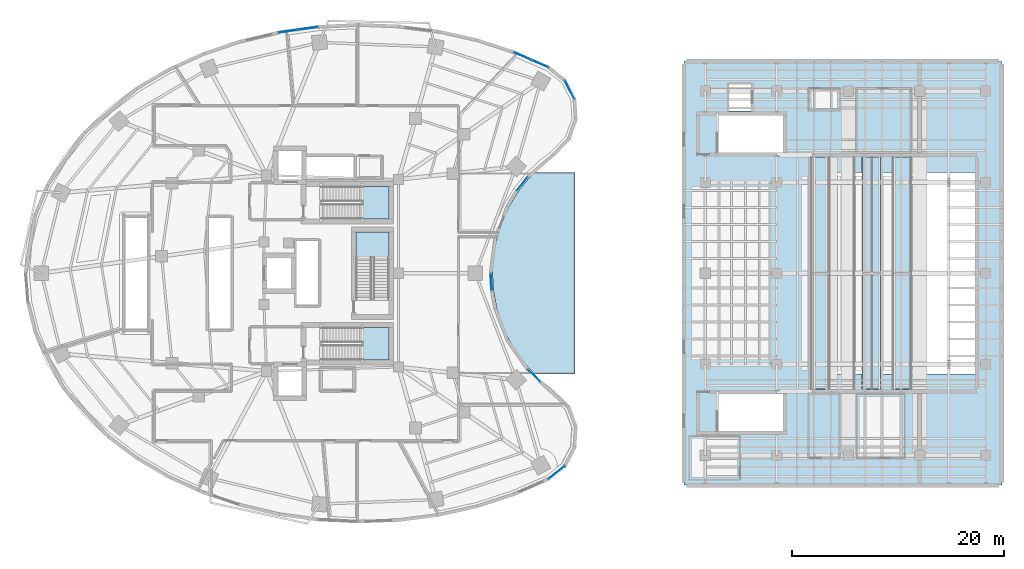
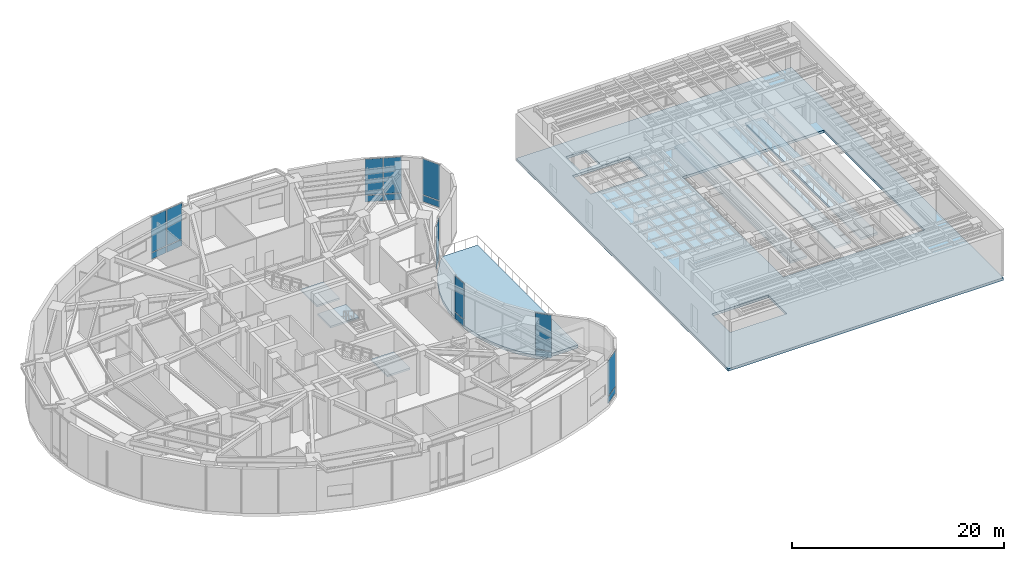
# One storey, part 10 of 19: 18 plates, 8 slabs, 10 elements without a shape of their own.
"""IFC4 building model written with IfcOpenShell, lengths in metres."""

from ifc_helpers import new_model, si_unit, direction, frame, origin, origin_2d, place, context, subcontext, project, spatial, polyline, rectangle, outline, extrude, material, layer, layer_set, type_object, element, aggregate, save


model = new_model("IFC4")

# Units and contexts
model_context = context("Model", 3, precision=1e-05, world=origin(), true_north=direction((0.0, 1.0)))
body_context = subcontext(model_context, "Body", "Model", "MODEL_VIEW")
ifc_project = project(units=[si_unit("LENGTHUNIT", "METRE"), si_unit("AREAUNIT", "SQUARE_METRE"), si_unit("VOLUMEUNIT", "CUBIC_METRE"), si_unit("PLANEANGLEUNIT", "RADIAN"), si_unit("MASSUNIT", "GRAM", prefix="KILO")], contexts=[model_context])

# Site, building, storey
site_placement = place(None, origin())
site = spatial("IfcSite", under=ifc_project, at=site_placement, CompositionType="ELEMENT")
building_placement = place(site_placement, origin())
building = spatial("IfcBuilding", under=site, at=building_placement, Name="Korentha Bioscience Tower", CompositionType="ELEMENT")
storey_placement = place(building_placement, frame((0.0, 0.0, 20.39990234375)))
storey = spatial("IfcBuildingStorey", under=building, at=storey_placement, Name="L04", CompositionType="ELEMENT", Elevation=20.39990234375)

# Slabs
ifc_material_1 = material(Name="Concrete C50", Category="concrete")
ifc_layer_1 = layer(ifc_material_1, 0.260009765625, Name="Concrete C50")
ifc_layer_set_1 = layer_set([ifc_layer_1], Name="Concrete C50 (ST-TIER)")
slab_type_1 = type_object("IfcSlabType", Name="Auditorium Raked Seating Tier Slab 260", PredefinedType="USERDEFINED", material=ifc_layer_set_1)
slab_1_placement = place(storey_placement, frame((0.0, 0.0, 2.440185546875)))
element("IfcSlab", 1, at=slab_1_placement, inside=storey, type_object=slab_type_1, Name="L04 Auditorium Acoustic Catwalk 1", ObjectType="SEATING_TIER", PredefinedType="USERDEFINED", context=body_context, shape_type="SweptSolid", body=[
    extrude(outline(polyline([(76.5, 16.050048828125), (78.300048828125, 16.050048828125), (78.300048828125, 37.949951171875), (76.5, 37.949951171875), (76.5, 16.050048828125)])), origin(), (0.0, 0.0, 1.0), 0.260009765625),
])
slab_2_placement = place(storey_placement, frame((0.0, 0.0, 2.440185546875)))
element("IfcSlab", 2, at=slab_2_placement, inside=storey, type_object=slab_type_1, Name="L04 Auditorium Acoustic Catwalk 2", ObjectType="SEATING_TIER", PredefinedType="USERDEFINED", context=body_context, shape_type="SweptSolid", body=[
    extrude(outline(polyline([(81.300048828125, 16.050048828125), (83.10009765625, 16.050048828125), (83.10009765625, 37.949951171875), (81.300048828125, 37.949951171875), (81.300048828125, 16.050048828125)])), origin(), (0.0, 0.0, 1.0), 0.260009765625),
])
slab_3_placement = place(storey_placement, frame((0.0, 0.0, 2.440185546875)))
element("IfcSlab", 3, at=slab_3_placement, inside=storey, type_object=slab_type_1, Name="L04 Auditorium Acoustic Catwalk 3", ObjectType="SEATING_TIER", PredefinedType="USERDEFINED", context=body_context, shape_type="SweptSolid", body=[
    extrude(outline(polyline([(84.199951171875, 16.050048828125), (86.0, 16.050048828125), (86.0, 37.949951171875), (84.199951171875, 37.949951171875), (84.199951171875, 16.050048828125)])), origin(), (0.0, 0.0, 1.0), 0.260009765625),
])
ifc_layer_2 = layer(ifc_material_1, 0.300048828125, Name="Concrete C50")
ifc_layer_set_2 = layer_set([ifc_layer_2], Name="Concrete C50 (SL-TH300)")
slab_type_2 = type_object("IfcSlabType", Name="Civic Theatre Floor Slab 300", PredefinedType="FLOOR", material=ifc_layer_set_2)
slab_4_placement = place(storey_placement, frame((0.0, 0.0, -0.2998046875)))
element("IfcSlab", 4, at=slab_4_placement, inside=storey, type_object=slab_type_2, Name="L04 Civic Performing-Arts Theatre Floor Slab", PredefinedType="FLOOR", context=body_context, shape_type="SweptSolid", body=[
    extrude(outline(polyline([(64.5, 7.0), (94.5, 7.0), (94.5, 47.0), (64.5, 47.0), (64.5, 7.0)]), holes=[polyline([(67.64990234375, 12.10009765625), (73.85009765625, 12.10009765625), (73.85009765625, 15.60009765625), (67.64990234375, 15.60009765625), (67.64990234375, 12.10009765625)]), polyline([(67.64990234375, 38.39990234375), (73.85009765625, 38.39990234375), (73.85009765625, 41.89990234375), (67.64990234375, 41.89990234375), (67.64990234375, 38.39990234375)]), polyline([(68.7099609375, 42.31005859375), (70.889892578125, 42.31005859375), (70.889892578125, 44.889892578125), (68.7099609375, 44.889892578125), (68.7099609375, 42.31005859375)]), polyline([(76.550048828125, 17.5), (92.0, 17.5), (92.0, 36.5), (76.550048828125, 36.5), (76.550048828125, 17.5)])]), origin(), (0.0, 0.0, 1.0), 0.2998046875),
])

# Curtain wall, plates
ifc_material_2 = material(Name="Stone-Clad Aluminium Frame", Category="masonry")
ifc_layer_3 = layer(ifc_material_2, 0.219970703125, Name="Stone-Clad Aluminium Frame")
ifc_layer_set_3 = layer_set([ifc_layer_3], Name="Stone-Clad Aluminium Frame (CW-P1)")
curtain_wall_type = type_object("IfcCurtainWallType", Name="Podium Double-Height Stone-Mullion Curtain Wall CW-P1", PredefinedType="USERDEFINED", material=ifc_layer_set_3)
curtain_wall_1_placement = place(storey_placement, origin())
curtain_wall_1 = element("IfcCurtainWall", 5, at=curtain_wall_1_placement, inside=storey, type_object=curtain_wall_type, Name="L04 Curtain Wall 01", ObjectType="UNITISED", PredefinedType="USERDEFINED")
ifc_material_3 = material(Name="Triple-Glazed Low-E Insulated Glass", Category="glass")
ifc_layer_4 = layer(ifc_material_3, 0.0439453125, Name="Triple-Glazed Low-E Insulated Glass")
ifc_layer_set_4 = layer_set([ifc_layer_4], Name="Triple-Glazed Low-E Insulated Glass (GL-44)")
plate_type = type_object("IfcPlateType", Name="Glazed Panel 44mm", PredefinedType="CURTAIN_PANEL", material=ifc_layer_set_4)
plate_1_placement = place(storey_placement, frame((50.893310546875, 46.780029296875, 0.08984375), z_axis=(0.0, 0.0, 1.0), x_axis=(-0.91593909057, 0.401317308828, 0.0)))
plate_1 = element("IfcPlate", 6, at=plate_1_placement, type_object=plate_type, Name="CW-L04-01 Bay 1 Glazed Panel 1", PredefinedType="CURTAIN_PANEL", context=body_context, shape_type="SweptSolid", body=[
    extrude(rectangle(XDim=1.701171875, YDim=0.0439453125, at=origin_2d()), origin(), (0.0, 0.0, 1.0), 0.715087890625),
])
plate_2_placement = place(storey_placement, frame((50.893310546875, 46.780029296875, 0.89501953125), z_axis=(0.0, 0.0, 1.0), x_axis=(-0.91593909057, 0.401317308828, 0.0)))
plate_2 = element("IfcPlate", 7, at=plate_2_placement, type_object=plate_type, Name="CW-L04-01 Bay 1 Glazed Panel 2", PredefinedType="CURTAIN_PANEL", context=body_context, shape_type="SweptSolid", body=[
    extrude(rectangle(XDim=1.701171875, YDim=0.0439453125, at=origin_2d()), origin(), (0.0, 0.0, 1.0), 4.114990234375),
])
plate_3_placement = place(storey_placement, frame((49.25244140625, 47.498779296875, 0.08984375), z_axis=(0.0, 0.0, 1.0), x_axis=(-0.91593909057, 0.401317308828, 0.0)))
plate_3 = element("IfcPlate", 8, at=plate_3_placement, type_object=plate_type, Name="CW-L04-01 Bay 2 Glazed Panel 1", PredefinedType="CURTAIN_PANEL", context=body_context, shape_type="SweptSolid", body=[
    extrude(rectangle(XDim=1.701171875, YDim=0.0439453125, at=origin_2d()), origin(), (0.0, 0.0, 1.0), 0.715087890625),
])
plate_4_placement = place(storey_placement, frame((49.25244140625, 47.498779296875, 0.89501953125), z_axis=(0.0, 0.0, 1.0), x_axis=(-0.91593909057, 0.401317308828, 0.0)))
plate_4 = element("IfcPlate", 9, at=plate_4_placement, type_object=plate_type, Name="CW-L04-01 Bay 2 Glazed Panel 2", PredefinedType="CURTAIN_PANEL", context=body_context, shape_type="SweptSolid", body=[
    extrude(rectangle(XDim=1.701171875, YDim=0.0439453125, at=origin_2d()), origin(), (0.0, 0.0, 1.0), 4.114990234375),
])
aggregate(curtain_wall_1, [plate_1, plate_2, plate_3, plate_4])

curtain_wall_2_placement = place(storey_placement, origin())
curtain_wall_2 = element("IfcCurtainWall", 10, at=curtain_wall_2_placement, inside=storey, type_object=curtain_wall_type, Name="L04 Curtain Wall 07", ObjectType="UNITISED", PredefinedType="USERDEFINED")
plate_5_placement = place(storey_placement, frame((29.0224609375, 50.11572265625, 0.08984375), z_axis=(0.0, 0.0, 1.0), x_axis=(-0.990167372968, -0.139887717511, 0.0)))
plate_5 = element("IfcPlate", 11, at=plate_5_placement, type_object=plate_type, Name="CW-L04-07 Bay 1 Glazed Panel 1", PredefinedType="CURTAIN_PANEL", context=body_context, shape_type="SweptSolid", body=[
    extrude(rectangle(XDim=1.800537109375, YDim=0.0439453125, at=origin_2d()), origin(), (0.0, 0.0, 1.0), 0.715087890625),
])
plate_6_placement = place(storey_placement, frame((29.0224609375, 50.11572265625, 0.89501953125), z_axis=(0.0, 0.0, 1.0), x_axis=(-0.990167372968, -0.139887717511, 0.0)))
plate_6 = element("IfcPlate", 12, at=plate_6_placement, type_object=plate_type, Name="CW-L04-07 Bay 1 Glazed Panel 2", PredefinedType="CURTAIN_PANEL", context=body_context, shape_type="SweptSolid", body=[
    extrude(rectangle(XDim=1.800537109375, YDim=0.0439453125, at=origin_2d()), origin(), (0.0, 0.0, 1.0), 4.114990234375),
])
plate_7_placement = place(storey_placement, frame((27.150634765625, 49.851318359375, 0.08984375), z_axis=(0.0, 0.0, 1.0), x_axis=(-0.990167372968, -0.139887717511, 0.0)))
plate_7 = element("IfcPlate", 13, at=plate_7_placement, type_object=plate_type, Name="CW-L04-07 Bay 2 Glazed Panel 1", PredefinedType="CURTAIN_PANEL", context=body_context, shape_type="SweptSolid", body=[
    extrude(rectangle(XDim=1.800537109375, YDim=0.0439453125, at=origin_2d()), origin(), (0.0, 0.0, 1.0), 0.715087890625),
])
plate_8_placement = place(storey_placement, frame((27.150634765625, 49.851318359375, 0.89501953125), z_axis=(0.0, 0.0, 1.0), x_axis=(-0.990167372968, -0.139887717511, 0.0)))
plate_8 = element("IfcPlate", 14, at=plate_8_placement, type_object=plate_type, Name="CW-L04-07 Bay 2 Glazed Panel 2", PredefinedType="CURTAIN_PANEL", context=body_context, shape_type="SweptSolid", body=[
    extrude(rectangle(XDim=1.800537109375, YDim=0.0439453125, at=origin_2d()), origin(), (0.0, 0.0, 1.0), 4.114990234375),
])
aggregate(curtain_wall_2, [plate_5, plate_6, plate_7, plate_8])

curtain_wall_3_placement = place(storey_placement, origin())
curtain_wall_3 = element("IfcCurtainWall", 15, at=curtain_wall_3_placement, inside=storey, type_object=curtain_wall_type, Name="L04 Curtain Wall 37", ObjectType="UNITISED", PredefinedType="USERDEFINED")
plate_9_placement = place(storey_placement, frame((52.4755859375, 8.19140625, 0.08984375), z_axis=(0.0, 0.0, 1.0), x_axis=(0.782287851332, 0.62291710336, 0.0)))
plate_9 = element("IfcPlate", 16, at=plate_9_placement, type_object=plate_type, Name="CW-L04-37 Bay 1 Glazed Panel 1", PredefinedType="CURTAIN_PANEL", context=body_context, shape_type="SweptSolid", body=[
    extrude(rectangle(XDim=1.927734375, YDim=0.0439453125, at=origin_2d()), origin(), (0.0, 0.0, 1.0), 0.715087890625),
])
plate_10_placement = place(storey_placement, frame((52.4755859375, 8.19140625, 0.89501953125), z_axis=(0.0, 0.0, 1.0), x_axis=(0.782287851332, 0.62291710336, 0.0)))
plate_10 = element("IfcPlate", 17, at=plate_10_placement, type_object=plate_type, Name="CW-L04-37 Bay 1 Glazed Panel 2", PredefinedType="CURTAIN_PANEL", context=body_context, shape_type="SweptSolid", body=[
    extrude(rectangle(XDim=1.927734375, YDim=0.0439453125, at=origin_2d()), origin(), (0.0, 0.0, 1.0), 4.114990234375),
])
aggregate(curtain_wall_3, [plate_9, plate_10])

curtain_wall_4_placement = place(storey_placement, origin())
curtain_wall_4 = element("IfcCurtainWall", 18, at=curtain_wall_4_placement, inside=storey, type_object=curtain_wall_type, Name="L04 Curtain Wall 43", ObjectType="UNITISED", PredefinedType="USERDEFINED")
plate_11_placement = place(storey_placement, frame((50.333251953125, 17.335693359375, 0.08984375), z_axis=(0.0, 0.0, 1.0), x_axis=(-0.713279246754, 0.700879958445, 0.0)))
plate_11 = element("IfcPlate", 19, at=plate_11_placement, type_object=plate_type, Name="CW-L04-43 Bay 1 Glazed Panel 1", PredefinedType="CURTAIN_PANEL", context=body_context, shape_type="SweptSolid", body=[
    extrude(rectangle(XDim=1.537841796875, YDim=0.0439453125, at=origin_2d()), origin(), (0.0, 0.0, 1.0), 0.715087890625),
])
plate_12_placement = place(storey_placement, frame((50.333251953125, 17.335693359375, 0.89501953125), z_axis=(0.0, 0.0, 1.0), x_axis=(-0.713279246754, 0.700879958445, 0.0)))
plate_12 = element("IfcPlate", 20, at=plate_12_placement, type_object=plate_type, Name="CW-L04-43 Bay 1 Glazed Panel 2", PredefinedType="CURTAIN_PANEL", context=body_context, shape_type="SweptSolid", body=[
    extrude(rectangle(XDim=1.537841796875, YDim=0.0439453125, at=origin_2d()), origin(), (0.0, 0.0, 1.0), 4.114990234375),
])
aggregate(curtain_wall_4, [plate_11, plate_12])

curtain_wall_5_placement = place(storey_placement, origin())
curtain_wall_5 = element("IfcCurtainWall", 21, at=curtain_wall_5_placement, inside=storey, type_object=curtain_wall_type, Name="L04 Curtain Wall 49", ObjectType="UNITISED", PredefinedType="USERDEFINED")
plate_13_placement = place(storey_placement, frame((46.305908203125, 26.1728515625, 0.08984375), z_axis=(0.0, 0.0, 1.0), x_axis=(-0.061008272998, 0.998137260413, 0.0)))
plate_13 = element("IfcPlate", 22, at=plate_13_placement, type_object=plate_type, Name="CW-L04-49 Bay 1 Glazed Panel 1", PredefinedType="CURTAIN_PANEL", context=body_context, shape_type="SweptSolid", body=[
    extrude(rectangle(XDim=1.537841796875, YDim=0.0439453125, at=origin_2d()), origin(), (0.0, 0.0, 1.0), 0.715087890625),
])
plate_14_placement = place(storey_placement, frame((46.305908203125, 26.1728515625, 0.89501953125), z_axis=(0.0, 0.0, 1.0), x_axis=(-0.061008272998, 0.998137260413, 0.0)))
plate_14 = element("IfcPlate", 23, at=plate_14_placement, type_object=plate_type, Name="CW-L04-49 Bay 1 Glazed Panel 2", PredefinedType="CURTAIN_PANEL", context=body_context, shape_type="SweptSolid", body=[
    extrude(rectangle(XDim=1.537841796875, YDim=0.0439453125, at=origin_2d()), origin(), (0.0, 0.0, 1.0), 4.114990234375),
])
aggregate(curtain_wall_5, [plate_13, plate_14])

curtain_wall_6_placement = place(storey_placement, origin())
curtain_wall_6 = element("IfcCurtainWall", 24, at=curtain_wall_6_placement, inside=storey, type_object=curtain_wall_type, Name="L04 Curtain Wall 55", ObjectType="UNITISED", PredefinedType="USERDEFINED")
plate_15_placement = place(storey_placement, frame((49.226318359375, 35.434814453125, 0.08984375), z_axis=(0.0, 0.0, 1.0), x_axis=(0.622520324648, 0.782603632371, 0.0)))
plate_15 = element("IfcPlate", 25, at=plate_15_placement, type_object=plate_type, Name="CW-L04-55 Bay 1 Glazed Panel 1", PredefinedType="CURTAIN_PANEL", context=body_context, shape_type="SweptSolid", body=[
    extrude(rectangle(XDim=1.537841796875, YDim=0.0439453125, at=origin_2d()), origin(), (0.0, 0.0, 1.0), 0.715087890625),
])
plate_16_placement = place(storey_placement, frame((49.226318359375, 35.434814453125, 0.89501953125), z_axis=(0.0, 0.0, 1.0), x_axis=(0.622520324648, 0.782603632371, 0.0)))
plate_16 = element("IfcPlate", 26, at=plate_16_placement, type_object=plate_type, Name="CW-L04-55 Bay 1 Glazed Panel 2", PredefinedType="CURTAIN_PANEL", context=body_context, shape_type="SweptSolid", body=[
    extrude(rectangle(XDim=1.537841796875, YDim=0.0439453125, at=origin_2d()), origin(), (0.0, 0.0, 1.0), 4.114990234375),
])
aggregate(curtain_wall_6, [plate_15, plate_16])

curtain_wall_7_placement = place(storey_placement, origin())
curtain_wall_7 = element("IfcCurtainWall", 27, at=curtain_wall_7_placement, inside=storey, type_object=curtain_wall_type, Name="L04 Curtain Wall 61", ObjectType="UNITISED", PredefinedType="USERDEFINED")
plate_17_placement = place(storey_placement, frame((53.6962890625, 44.32958984375, 0.08984375), z_axis=(0.0, 0.0, 1.0), x_axis=(-0.463008597697, 0.886353788539, 0.0)))
plate_17 = element("IfcPlate", 28, at=plate_17_placement, type_object=plate_type, Name="CW-L04-61 Bay 1 Glazed Panel 1", PredefinedType="CURTAIN_PANEL", context=body_context, shape_type="SweptSolid", body=[
    extrude(rectangle(XDim=1.927734375, YDim=0.0439453125, at=origin_2d()), origin(), (0.0, 0.0, 1.0), 0.715087890625),
])
plate_18_placement = place(storey_placement, frame((53.6962890625, 44.32958984375, 0.89501953125), z_axis=(0.0, 0.0, 1.0), x_axis=(-0.463008597697, 0.886353788539, 0.0)))
plate_18 = element("IfcPlate", 29, at=plate_18_placement, type_object=plate_type, Name="CW-L04-61 Bay 1 Glazed Panel 2", PredefinedType="CURTAIN_PANEL", context=body_context, shape_type="SweptSolid", body=[
    extrude(rectangle(XDim=1.927734375, YDim=0.0439453125, at=origin_2d()), origin(), (0.0, 0.0, 1.0), 4.114990234375),
])
aggregate(curtain_wall_7, [plate_17, plate_18])

# Stair, slab
ifc_material_4 = material(Name="Precast Concrete C50", Category="concrete")
stair_type = type_object("IfcStairType", Name="Core Exit Dog-Leg Stair 1450", PredefinedType="HALF_TURN_STAIR", material=ifc_material_4)
stair_1_placement = place(storey_placement, origin())
stair_1 = element("IfcStair", 30, at=stair_1_placement, inside=storey, type_object=stair_type, Name="L04 Tower North Pressurized Exit Stair ST-1", PredefinedType="HALF_TURN_STAIR")
ifc_layer_5 = layer(ifc_material_1, 0.199951171875, Name="Concrete C50")
ifc_layer_set_5 = layer_set([ifc_layer_5], Name="Concrete C50 (SL-LND)")
slab_type_3 = type_object("IfcSlabType", Name="Landing Slab 200", PredefinedType="LANDING", material=ifc_layer_set_5)
slab_5_placement = place(storey_placement, frame((0.0, 0.0, 2.5)))
slab_5 = element("IfcSlab", 31, at=slab_5_placement, type_object=slab_type_3, Name="ST-1 landing 1", PredefinedType="LANDING", context=body_context, shape_type="SweptSolid", body=[
    extrude(outline(polyline([(34.169921875, 32.10009765625), (36.64990234375, 32.10009765625), (36.64990234375, 35.199951171875), (34.169921875, 35.199951171875), (34.169921875, 32.10009765625)])), origin(), (0.0, 0.0, 1.0), 0.2001953125),
])
aggregate(stair_1, [slab_5])

stair_2_placement = place(storey_placement, origin())
stair_2 = element("IfcStair", 32, at=stair_2_placement, inside=storey, type_object=stair_type, Name="L04 Tower South Pressurized Exit Stair ST-2", PredefinedType="HALF_TURN_STAIR")
slab_6_placement = place(storey_placement, frame((0.0, 0.0, 2.5)))
slab_6 = element("IfcSlab", 33, at=slab_6_placement, type_object=slab_type_3, Name="ST-2 landing 1", PredefinedType="LANDING", context=body_context, shape_type="SweptSolid", body=[
    extrude(outline(polyline([(34.169921875, 18.800048828125), (36.64990234375, 18.800048828125), (36.64990234375, 21.89990234375), (34.169921875, 21.89990234375), (34.169921875, 18.800048828125)])), origin(), (0.0, 0.0, 1.0), 0.2001953125),
])
aggregate(stair_2, [slab_6])

stair_3_placement = place(storey_placement, origin())
stair_3 = element("IfcStair", 34, at=stair_3_placement, inside=storey, type_object=stair_type, Name="L04 Tower Central Pressurized Exit Stair ST-3", PredefinedType="HALF_TURN_STAIR")
slab_7_placement = place(storey_placement, frame((0.0, 0.0, 2.5)))
slab_7 = element("IfcSlab", 35, at=slab_7_placement, type_object=slab_type_3, Name="ST-3 landing 1", PredefinedType="LANDING", context=body_context, shape_type="SweptSolid", body=[
    extrude(outline(polyline([(36.64990234375, 28.469970703125), (36.64990234375, 30.89990234375), (33.550048828125, 30.89990234375), (33.550048828125, 28.469970703125), (36.64990234375, 28.469970703125)])), origin(), (0.0, 0.0, 1.0), 0.2001953125),
])
aggregate(stair_3, [slab_7])

# Slab
ifc_layer_6 = layer(ifc_material_1, 0.35009765625, Name="Concrete C50")
ifc_layer_set_6 = layer_set([ifc_layer_6], Name="Concrete C50 (PT-280)")
slab_type_4 = type_object("IfcSlabType", Name="Podium Courtyard Terrace Slab 280", PredefinedType="USERDEFINED", material=ifc_layer_set_6)
slab_8_placement = place(storey_placement, frame((0.0, 0.0, -0.349853515625)))
element("IfcSlab", 36, at=slab_8_placement, inside=storey, type_object=slab_type_4, Name="L04 Podium Courtyard Terrace Slab", ObjectType="BALCONY", PredefinedType="USERDEFINED", context=body_context, shape_type="SweptSolid", body=[
    extrude(outline(polyline([(50.394287109375, 36.5), (49.861328125, 35.976318359375), (48.841796875, 34.6943359375), (47.98583984375, 33.2978515625), (47.306640625, 31.807373046875), (46.814208984375, 30.245361328125), (46.515625, 28.634765625), (46.415771484375, 27.0), (46.515625, 25.365234375), (46.814208984375, 23.754638671875), (47.306640625, 22.192626953125), (47.98583984375, 20.7021484375), (48.841796875, 19.3056640625), (49.861328125, 18.023681640625), (50.394287109375, 17.5), (54.199951171875, 17.5), (54.199951171875, 36.5), (50.394287109375, 36.5)])), origin(), (0.0, 0.0, 1.0), 0.349853515625),
])

save(model, "model.ifc")
